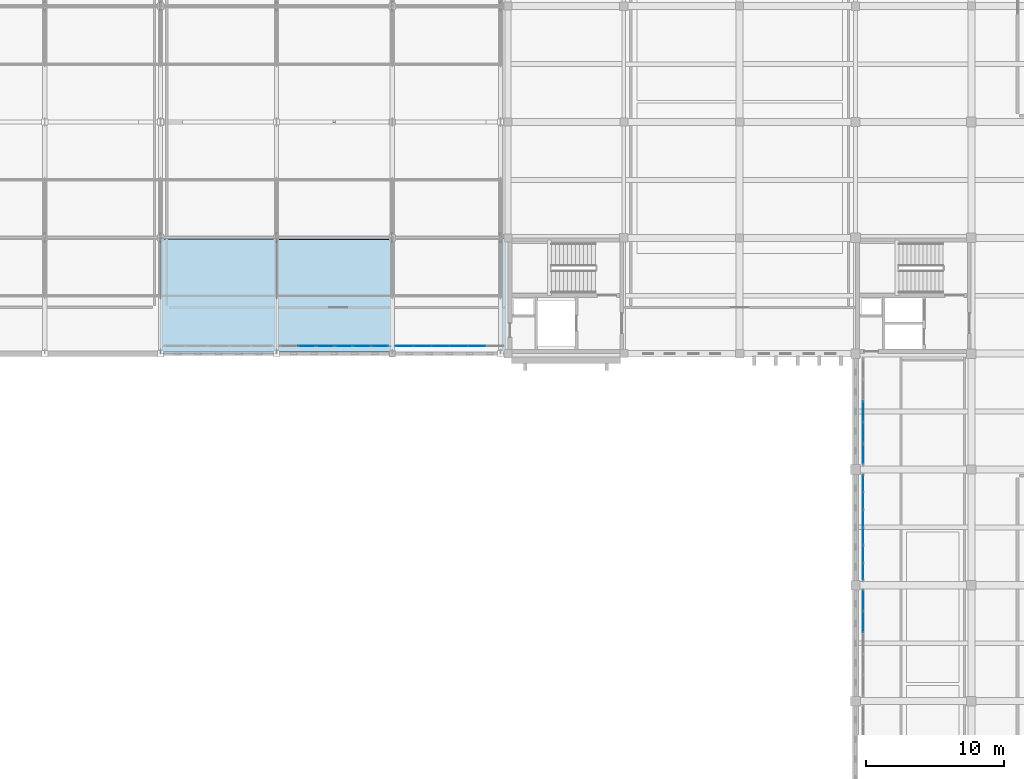
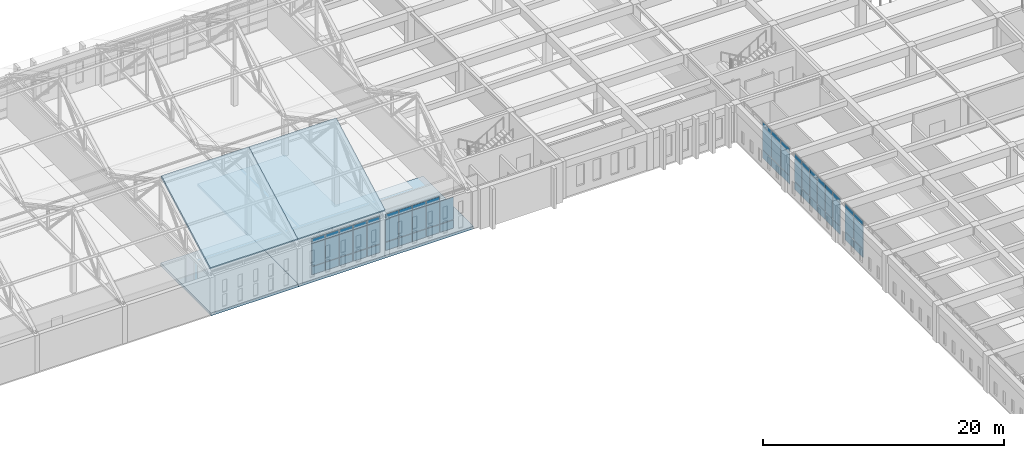
# One storey, part 59 of 110: 62 plates, 4 slabs, 5 elements without a shape of their own.
"""IFC4 building model written with IfcOpenShell, lengths in metres."""

from ifc_helpers import new_model, si_unit, direction, frame, origin, origin_2d, place, context, subcontext, project, spatial, polyline, rectangle, outline, extrude, material, layer, layer_set, type_object, element, aggregate, save


model = new_model("IFC4")

# Units and contexts
model_context = context("Model", 3, precision=1e-05, world=origin(), true_north=direction((0.0, 1.0)))
body_context = subcontext(model_context, "Body", "Model", "MODEL_VIEW")
ifc_project = project(units=[si_unit("LENGTHUNIT", "METRE"), si_unit("AREAUNIT", "SQUARE_METRE"), si_unit("VOLUMEUNIT", "CUBIC_METRE"), si_unit("PLANEANGLEUNIT", "RADIAN"), si_unit("MASSUNIT", "GRAM", prefix="KILO")], contexts=[model_context])

# Site, building, storey
site_placement = place(None, origin())
site = spatial("IfcSite", under=ifc_project, at=site_placement, CompositionType="ELEMENT")
building_placement = place(site_placement, origin())
building = spatial("IfcBuilding", under=site, at=building_placement, Name="Kveldsbrygga Polytechnic", CompositionType="ELEMENT")
storey_placement = place(building_placement, frame((0.0, 0.0, 9.860107421875)))
storey = spatial("IfcBuildingStorey", under=building, at=storey_placement, Name="L02", CompositionType="ELEMENT", Elevation=9.860107421875)

# Curtain wall, plates
ifc_material_1 = material(Name="Anodised aluminium AW-6060", Category="aluminium")
ifc_layer_1 = layer(ifc_material_1, 0.179931640625)
ifc_layer_set_1 = layer_set([ifc_layer_1], Name="Anodised aluminium AW-6060")
curtain_wall_type_1 = type_object("IfcCurtainWallType", Name="CW-CONC-A", PredefinedType="USERDEFINED", material=ifc_layer_set_1)
curtain_wall_1_placement = place(storey_placement, origin())
curtain_wall_1 = element("IfcCurtainWall", 1, at=curtain_wall_1_placement, inside=storey, type_object=curtain_wall_type_1, Name="Curtain Wall CW-L02-X-11-10", ObjectType="UNITISED CURTAIN WALL", PredefinedType="USERDEFINED")
ifc_material_2 = material(Name="Insulated triple low-E glass", Category="glass")
ifc_layer_2 = layer(ifc_material_2, 0.035888671875)
ifc_layer_set_2 = layer_set([ifc_layer_2], Name="Insulated triple low-E glass")
plate_type_1 = type_object("IfcPlateType", Name="CW-PAN-VIS36", PredefinedType="CURTAIN_PANEL", material=ifc_layer_set_2)
plate_1_placement = place(storey_placement, frame((93.27001953125, 84.550048828125, 0.059814453125), z_axis=(0.0, 0.0, 1.0), x_axis=(1.0, 0.0, 0.0)))
plate_1 = element("IfcPlate", 2, at=plate_1_placement, type_object=plate_type_1, Name="CW-01 panel 1.1", PredefinedType="CURTAIN_PANEL", context=body_context, shape_type="SweptSolid", body=[
    extrude(rectangle(XDim=1.22998046875, YDim=0.035888671875, at=origin_2d()), origin(), (0.0, 0.0, 1.0), 0.81005859375),
])
plate_2_placement = place(storey_placement, frame((93.27001953125, 84.550048828125, 0.929931640625), z_axis=(0.0, 0.0, 1.0), x_axis=(1.0, 0.0, 0.0)))
plate_2 = element("IfcPlate", 3, at=plate_2_placement, type_object=plate_type_1, Name="CW-01 panel 1.2", PredefinedType="CURTAIN_PANEL", context=body_context, shape_type="SweptSolid", body=[
    extrude(rectangle(XDim=1.22998046875, YDim=0.035888671875, at=origin_2d()), origin(), (0.0, 0.0, 1.0), 2.27001953125),
])
plate_3_placement = place(storey_placement, frame((93.27001953125, 84.550048828125, 3.260009765625), z_axis=(0.0, 0.0, 1.0), x_axis=(1.0, 0.0, 0.0)))
plate_3 = element("IfcPlate", 4, at=plate_3_placement, type_object=plate_type_1, Name="CW-01 panel 1.3", PredefinedType="CURTAIN_PANEL", context=body_context, shape_type="SweptSolid", body=[
    extrude(rectangle(XDim=1.22998046875, YDim=0.035888671875, at=origin_2d()), origin(), (0.0, 0.0, 1.0), 0.4599609375),
])
plate_4_placement = place(storey_placement, frame((94.574951171875, 84.550048828125, 0.059814453125), z_axis=(0.0, 0.0, 1.0), x_axis=(1.0, 0.0, 0.0)))
plate_4 = element("IfcPlate", 5, at=plate_4_placement, type_object=plate_type_1, Name="CW-01 panel 2.1", PredefinedType="CURTAIN_PANEL", context=body_context, shape_type="SweptSolid", body=[
    extrude(rectangle(XDim=1.260009765625, YDim=0.035888671875, at=origin_2d()), origin(), (0.0, 0.0, 1.0), 0.81005859375),
])
plate_5_placement = place(storey_placement, frame((94.574951171875, 84.550048828125, 0.929931640625), z_axis=(0.0, 0.0, 1.0), x_axis=(1.0, 0.0, 0.0)))
plate_5 = element("IfcPlate", 6, at=plate_5_placement, type_object=plate_type_1, Name="CW-01 panel 2.2", PredefinedType="CURTAIN_PANEL", context=body_context, shape_type="SweptSolid", body=[
    extrude(rectangle(XDim=1.260009765625, YDim=0.035888671875, at=origin_2d()), origin(), (0.0, 0.0, 1.0), 2.27001953125),
])
plate_6_placement = place(storey_placement, frame((94.574951171875, 84.550048828125, 3.260009765625), z_axis=(0.0, 0.0, 1.0), x_axis=(1.0, 0.0, 0.0)))
plate_6 = element("IfcPlate", 7, at=plate_6_placement, type_object=plate_type_1, Name="CW-01 panel 2.3", PredefinedType="CURTAIN_PANEL", context=body_context, shape_type="SweptSolid", body=[
    extrude(rectangle(XDim=1.260009765625, YDim=0.035888671875, at=origin_2d()), origin(), (0.0, 0.0, 1.0), 0.4599609375),
])
plate_7_placement = place(storey_placement, frame((95.89501953125, 84.550048828125, 0.059814453125), z_axis=(0.0, 0.0, 1.0), x_axis=(1.0, 0.0, 0.0)))
plate_7 = element("IfcPlate", 8, at=plate_7_placement, type_object=plate_type_1, Name="CW-01 panel 3.1", PredefinedType="CURTAIN_PANEL", context=body_context, shape_type="SweptSolid", body=[
    extrude(rectangle(XDim=1.260009765625, YDim=0.035888671875, at=origin_2d()), origin(), (0.0, 0.0, 1.0), 0.81005859375),
])
plate_8_placement = place(storey_placement, frame((95.89501953125, 84.550048828125, 0.929931640625), z_axis=(0.0, 0.0, 1.0), x_axis=(1.0, 0.0, 0.0)))
plate_8 = element("IfcPlate", 9, at=plate_8_placement, type_object=plate_type_1, Name="CW-01 panel 3.2", PredefinedType="CURTAIN_PANEL", context=body_context, shape_type="SweptSolid", body=[
    extrude(rectangle(XDim=1.260009765625, YDim=0.035888671875, at=origin_2d()), origin(), (0.0, 0.0, 1.0), 2.27001953125),
])
plate_9_placement = place(storey_placement, frame((95.89501953125, 84.550048828125, 3.260009765625), z_axis=(0.0, 0.0, 1.0), x_axis=(1.0, 0.0, 0.0)))
plate_9 = element("IfcPlate", 10, at=plate_9_placement, type_object=plate_type_1, Name="CW-01 panel 3.3", PredefinedType="CURTAIN_PANEL", context=body_context, shape_type="SweptSolid", body=[
    extrude(rectangle(XDim=1.260009765625, YDim=0.035888671875, at=origin_2d()), origin(), (0.0, 0.0, 1.0), 0.4599609375),
])
plate_10_placement = place(storey_placement, frame((97.215087890625, 84.550048828125, 0.059814453125), z_axis=(0.0, 0.0, 1.0), x_axis=(1.0, 0.0, 0.0)))
plate_10 = element("IfcPlate", 11, at=plate_10_placement, type_object=plate_type_1, Name="CW-01 panel 4.1", PredefinedType="CURTAIN_PANEL", context=body_context, shape_type="SweptSolid", body=[
    extrude(rectangle(XDim=1.260009765625, YDim=0.035888671875, at=origin_2d()), origin(), (0.0, 0.0, 1.0), 0.81005859375),
])
plate_11_placement = place(storey_placement, frame((97.215087890625, 84.550048828125, 0.929931640625), z_axis=(0.0, 0.0, 1.0), x_axis=(1.0, 0.0, 0.0)))
plate_11 = element("IfcPlate", 12, at=plate_11_placement, type_object=plate_type_1, Name="CW-01 panel 4.2", PredefinedType="CURTAIN_PANEL", context=body_context, shape_type="SweptSolid", body=[
    extrude(rectangle(XDim=1.260009765625, YDim=0.035888671875, at=origin_2d()), origin(), (0.0, 0.0, 1.0), 2.27001953125),
])
plate_12_placement = place(storey_placement, frame((97.215087890625, 84.550048828125, 3.260009765625), z_axis=(0.0, 0.0, 1.0), x_axis=(1.0, 0.0, 0.0)))
plate_12 = element("IfcPlate", 13, at=plate_12_placement, type_object=plate_type_1, Name="CW-01 panel 4.3", PredefinedType="CURTAIN_PANEL", context=body_context, shape_type="SweptSolid", body=[
    extrude(rectangle(XDim=1.260009765625, YDim=0.035888671875, at=origin_2d()), origin(), (0.0, 0.0, 1.0), 0.4599609375),
])
plate_13_placement = place(storey_placement, frame((98.534912109375, 84.550048828125, 0.059814453125), z_axis=(0.0, 0.0, 1.0), x_axis=(1.0, 0.0, 0.0)))
plate_13 = element("IfcPlate", 14, at=plate_13_placement, type_object=plate_type_1, Name="CW-01 panel 5.1", PredefinedType="CURTAIN_PANEL", context=body_context, shape_type="SweptSolid", body=[
    extrude(rectangle(XDim=1.260009765625, YDim=0.035888671875, at=origin_2d()), origin(), (0.0, 0.0, 1.0), 0.81005859375),
])
plate_14_placement = place(storey_placement, frame((98.534912109375, 84.550048828125, 0.929931640625), z_axis=(0.0, 0.0, 1.0), x_axis=(1.0, 0.0, 0.0)))
plate_14 = element("IfcPlate", 15, at=plate_14_placement, type_object=plate_type_1, Name="CW-01 panel 5.2", PredefinedType="CURTAIN_PANEL", context=body_context, shape_type="SweptSolid", body=[
    extrude(rectangle(XDim=1.260009765625, YDim=0.035888671875, at=origin_2d()), origin(), (0.0, 0.0, 1.0), 2.27001953125),
])
aggregate(curtain_wall_1, [plate_1, plate_2, plate_3, plate_4, plate_5, plate_6, plate_7, plate_8, plate_9, plate_10, plate_11, plate_12, plate_13, plate_14])

ifc_layer_3 = layer(ifc_material_1, 0.179931640625)
ifc_layer_set_3 = layer_set([ifc_layer_3], Name="Anodised aluminium AW-6060")
curtain_wall_type_2 = type_object("IfcCurtainWallType", Name="CW-LANC-D", PredefinedType="USERDEFINED", material=ifc_layer_set_3)
curtain_wall_2_placement = place(storey_placement, origin())
curtain_wall_2 = element("IfcCurtainWall", 16, at=curtain_wall_2_placement, inside=storey, type_object=curtain_wall_type_2, Name="Curtain Wall CW-L02-Y-15-09", ObjectType="UNITISED CURTAIN WALL", PredefinedType="USERDEFINED")
plate_15_placement = place(storey_placement, frame((126.550048828125, 76.727783203125, 0.059814453125), z_axis=(0.0, 0.0, 1.0), x_axis=(0.0, 1.0, 0.0)))
plate_15 = element("IfcPlate", 17, at=plate_15_placement, type_object=plate_type_1, Name="CW-04 panel 1.1", PredefinedType="CURTAIN_PANEL", context=body_context, shape_type="SweptSolid", body=[
    extrude(rectangle(XDim=1.435546875, YDim=0.035888671875, at=origin_2d()), origin(), (0.0, 0.0, 1.0), 0.81005859375),
])
plate_16_placement = place(storey_placement, frame((126.550048828125, 76.727783203125, 0.929931640625), z_axis=(0.0, 0.0, 1.0), x_axis=(0.0, 1.0, 0.0)))
plate_16 = element("IfcPlate", 18, at=plate_16_placement, type_object=plate_type_1, Name="CW-04 panel 1.2", PredefinedType="CURTAIN_PANEL", context=body_context, shape_type="SweptSolid", body=[
    extrude(rectangle(XDim=1.435546875, YDim=0.035888671875, at=origin_2d()), origin(), (0.0, 0.0, 1.0), 2.27001953125),
])
plate_17_placement = place(storey_placement, frame((126.550048828125, 76.727783203125, 3.260009765625), z_axis=(0.0, 0.0, 1.0), x_axis=(0.0, 1.0, 0.0)))
plate_17 = element("IfcPlate", 19, at=plate_17_placement, type_object=plate_type_1, Name="CW-04 panel 1.3", PredefinedType="CURTAIN_PANEL", context=body_context, shape_type="SweptSolid", body=[
    extrude(rectangle(XDim=1.435546875, YDim=0.035888671875, at=origin_2d()), origin(), (0.0, 0.0, 1.0), 0.4599609375),
])
plate_18_placement = place(storey_placement, frame((126.550048828125, 78.257080078125, 0.059814453125), z_axis=(0.0, 0.0, 1.0), x_axis=(0.0, 1.0, 0.0)))
plate_18 = element("IfcPlate", 20, at=plate_18_placement, type_object=plate_type_1, Name="CW-04 panel 2.1", PredefinedType="CURTAIN_PANEL", context=body_context, shape_type="SweptSolid", body=[
    extrude(rectangle(XDim=1.472900390625, YDim=0.035888671875, at=origin_2d()), origin(), (0.0, 0.0, 1.0), 0.81005859375),
])
plate_19_placement = place(storey_placement, frame((126.550048828125, 78.257080078125, 0.929931640625), z_axis=(0.0, 0.0, 1.0), x_axis=(0.0, 1.0, 0.0)))
plate_19 = element("IfcPlate", 21, at=plate_19_placement, type_object=plate_type_1, Name="CW-04 panel 2.2", PredefinedType="CURTAIN_PANEL", context=body_context, shape_type="SweptSolid", body=[
    extrude(rectangle(XDim=1.472900390625, YDim=0.035888671875, at=origin_2d()), origin(), (0.0, 0.0, 1.0), 2.27001953125),
])
plate_20_placement = place(storey_placement, frame((126.550048828125, 78.257080078125, 3.260009765625), z_axis=(0.0, 0.0, 1.0), x_axis=(0.0, 1.0, 0.0)))
plate_20 = element("IfcPlate", 22, at=plate_20_placement, type_object=plate_type_1, Name="CW-04 panel 2.3", PredefinedType="CURTAIN_PANEL", context=body_context, shape_type="SweptSolid", body=[
    extrude(rectangle(XDim=1.472900390625, YDim=0.035888671875, at=origin_2d()), origin(), (0.0, 0.0, 1.0), 0.4599609375),
])
plate_21_placement = place(storey_placement, frame((126.550048828125, 79.804931640625, 0.059814453125), z_axis=(0.0, 0.0, 1.0), x_axis=(0.0, 1.0, 0.0)))
plate_21 = element("IfcPlate", 23, at=plate_21_placement, type_object=plate_type_1, Name="CW-04 panel 3.1", PredefinedType="CURTAIN_PANEL", context=body_context, shape_type="SweptSolid", body=[
    extrude(rectangle(XDim=1.472900390625, YDim=0.035888671875, at=origin_2d()), origin(), (0.0, 0.0, 1.0), 0.81005859375),
])
plate_22_placement = place(storey_placement, frame((126.550048828125, 79.804931640625, 0.929931640625), z_axis=(0.0, 0.0, 1.0), x_axis=(0.0, 1.0, 0.0)))
plate_22 = element("IfcPlate", 24, at=plate_22_placement, type_object=plate_type_1, Name="CW-04 panel 3.2", PredefinedType="CURTAIN_PANEL", context=body_context, shape_type="SweptSolid", body=[
    extrude(rectangle(XDim=1.472900390625, YDim=0.035888671875, at=origin_2d()), origin(), (0.0, 0.0, 1.0), 2.27001953125),
])
plate_23_placement = place(storey_placement, frame((126.550048828125, 79.804931640625, 3.260009765625), z_axis=(0.0, 0.0, 1.0), x_axis=(0.0, 1.0, 0.0)))
plate_23 = element("IfcPlate", 25, at=plate_23_placement, type_object=plate_type_1, Name="CW-04 panel 3.3", PredefinedType="CURTAIN_PANEL", context=body_context, shape_type="SweptSolid", body=[
    extrude(rectangle(XDim=1.472900390625, YDim=0.035888671875, at=origin_2d()), origin(), (0.0, 0.0, 1.0), 0.4599609375),
])
aggregate(curtain_wall_2, [plate_15, plate_16, plate_17, plate_18, plate_19, plate_20, plate_21, plate_22, plate_23])

ifc_layer_4 = layer(ifc_material_1, 0.2099609375)
ifc_layer_set_4 = layer_set([ifc_layer_4], Name="Anodised aluminium AW-6060")
curtain_wall_type_3 = type_object("IfcCurtainWallType", Name="CW-LIBR-H", PredefinedType="USERDEFINED", material=ifc_layer_set_4)
curtain_wall_3_placement = place(storey_placement, origin())
curtain_wall_3 = element("IfcCurtainWall", 26, at=curtain_wall_3_placement, inside=storey, type_object=curtain_wall_type_3, Name="Curtain Wall CW-L02-X-10-10", ObjectType="UNITISED CURTAIN WALL", PredefinedType="USERDEFINED")
ifc_layer_5 = layer(ifc_material_2, 0.0419921875)
ifc_layer_set_5 = layer_set([ifc_layer_5], Name="Insulated triple low-E glass")
plate_type_2 = type_object("IfcPlateType", Name="CW-PAN-VIS42", PredefinedType="CURTAIN_PANEL", material=ifc_layer_set_5)
plate_24_placement = place(storey_placement, frame((86.208740234375, 84.550048828125, 0.059814453125), z_axis=(0.0, 0.0, 1.0), x_axis=(1.0, 0.0, 0.0)))
plate_24 = element("IfcPlate", 27, at=plate_24_placement, type_object=plate_type_2, Name="CW-08 panel 2.1", PredefinedType="CURTAIN_PANEL", context=body_context, shape_type="SweptSolid", body=[
    extrude(rectangle(XDim=1.257568359375, YDim=0.0419921875, at=origin_2d()), origin(), (0.0, 0.0, 1.0), 0.81005859375),
])
plate_25_placement = place(storey_placement, frame((86.208740234375, 84.550048828125, 0.929931640625), z_axis=(0.0, 0.0, 1.0), x_axis=(1.0, 0.0, 0.0)))
plate_25 = element("IfcPlate", 28, at=plate_25_placement, type_object=plate_type_2, Name="CW-08 panel 2.2", PredefinedType="CURTAIN_PANEL", context=body_context, shape_type="SweptSolid", body=[
    extrude(rectangle(XDim=1.257568359375, YDim=0.0419921875, at=origin_2d()), origin(), (0.0, 0.0, 1.0), 2.27001953125),
])
plate_26_placement = place(storey_placement, frame((86.208740234375, 84.550048828125, 3.260009765625), z_axis=(0.0, 0.0, 1.0), x_axis=(1.0, 0.0, 0.0)))
plate_26 = element("IfcPlate", 29, at=plate_26_placement, type_object=plate_type_2, Name="CW-08 panel 2.3", PredefinedType="CURTAIN_PANEL", context=body_context, shape_type="SweptSolid", body=[
    extrude(rectangle(XDim=1.257568359375, YDim=0.0419921875, at=origin_2d()), origin(), (0.0, 0.0, 1.0), 0.4599609375),
])
plate_27_placement = place(storey_placement, frame((87.541259765625, 84.550048828125, 0.059814453125), z_axis=(0.0, 0.0, 1.0), x_axis=(1.0, 0.0, 0.0)))
plate_27 = element("IfcPlate", 30, at=plate_27_placement, type_object=plate_type_2, Name="CW-08 panel 3.1", PredefinedType="CURTAIN_PANEL", context=body_context, shape_type="SweptSolid", body=[
    extrude(rectangle(XDim=1.257568359375, YDim=0.0419921875, at=origin_2d()), origin(), (0.0, 0.0, 1.0), 0.81005859375),
])
plate_28_placement = place(storey_placement, frame((87.541259765625, 84.550048828125, 0.929931640625), z_axis=(0.0, 0.0, 1.0), x_axis=(1.0, 0.0, 0.0)))
plate_28 = element("IfcPlate", 31, at=plate_28_placement, type_object=plate_type_2, Name="CW-08 panel 3.2", PredefinedType="CURTAIN_PANEL", context=body_context, shape_type="SweptSolid", body=[
    extrude(rectangle(XDim=1.257568359375, YDim=0.0419921875, at=origin_2d()), origin(), (0.0, 0.0, 1.0), 2.27001953125),
])
plate_29_placement = place(storey_placement, frame((87.541259765625, 84.550048828125, 3.260009765625), z_axis=(0.0, 0.0, 1.0), x_axis=(1.0, 0.0, 0.0)))
plate_29 = element("IfcPlate", 32, at=plate_29_placement, type_object=plate_type_2, Name="CW-08 panel 3.3", PredefinedType="CURTAIN_PANEL", context=body_context, shape_type="SweptSolid", body=[
    extrude(rectangle(XDim=1.257568359375, YDim=0.0419921875, at=origin_2d()), origin(), (0.0, 0.0, 1.0), 0.4599609375),
])
plate_30_placement = place(storey_placement, frame((88.873779296875, 84.550048828125, 0.059814453125), z_axis=(0.0, 0.0, 1.0), x_axis=(1.0, 0.0, 0.0)))
plate_30 = element("IfcPlate", 33, at=plate_30_placement, type_object=plate_type_2, Name="CW-08 panel 4.1", PredefinedType="CURTAIN_PANEL", context=body_context, shape_type="SweptSolid", body=[
    extrude(rectangle(XDim=1.257568359375, YDim=0.0419921875, at=origin_2d()), origin(), (0.0, 0.0, 1.0), 0.81005859375),
])
plate_31_placement = place(storey_placement, frame((88.873779296875, 84.550048828125, 0.929931640625), z_axis=(0.0, 0.0, 1.0), x_axis=(1.0, 0.0, 0.0)))
plate_31 = element("IfcPlate", 34, at=plate_31_placement, type_object=plate_type_2, Name="CW-08 panel 4.2", PredefinedType="CURTAIN_PANEL", context=body_context, shape_type="SweptSolid", body=[
    extrude(rectangle(XDim=1.257568359375, YDim=0.0419921875, at=origin_2d()), origin(), (0.0, 0.0, 1.0), 2.27001953125),
])
plate_32_placement = place(storey_placement, frame((88.873779296875, 84.550048828125, 3.260009765625), z_axis=(0.0, 0.0, 1.0), x_axis=(1.0, 0.0, 0.0)))
plate_32 = element("IfcPlate", 35, at=plate_32_placement, type_object=plate_type_2, Name="CW-08 panel 4.3", PredefinedType="CURTAIN_PANEL", context=body_context, shape_type="SweptSolid", body=[
    extrude(rectangle(XDim=1.257568359375, YDim=0.0419921875, at=origin_2d()), origin(), (0.0, 0.0, 1.0), 0.4599609375),
])
plate_33_placement = place(storey_placement, frame((90.206298828125, 84.550048828125, 0.059814453125), z_axis=(0.0, 0.0, 1.0), x_axis=(1.0, 0.0, 0.0)))
plate_33 = element("IfcPlate", 36, at=plate_33_placement, type_object=plate_type_2, Name="CW-08 panel 5.1", PredefinedType="CURTAIN_PANEL", context=body_context, shape_type="SweptSolid", body=[
    extrude(rectangle(XDim=1.257568359375, YDim=0.0419921875, at=origin_2d()), origin(), (0.0, 0.0, 1.0), 0.81005859375),
])
plate_34_placement = place(storey_placement, frame((90.206298828125, 84.550048828125, 0.929931640625), z_axis=(0.0, 0.0, 1.0), x_axis=(1.0, 0.0, 0.0)))
plate_34 = element("IfcPlate", 37, at=plate_34_placement, type_object=plate_type_2, Name="CW-08 panel 5.2", PredefinedType="CURTAIN_PANEL", context=body_context, shape_type="SweptSolid", body=[
    extrude(rectangle(XDim=1.257568359375, YDim=0.0419921875, at=origin_2d()), origin(), (0.0, 0.0, 1.0), 2.27001953125),
])
plate_35_placement = place(storey_placement, frame((90.206298828125, 84.550048828125, 3.260009765625), z_axis=(0.0, 0.0, 1.0), x_axis=(1.0, 0.0, 0.0)))
plate_35 = element("IfcPlate", 38, at=plate_35_placement, type_object=plate_type_2, Name="CW-08 panel 5.3", PredefinedType="CURTAIN_PANEL", context=body_context, shape_type="SweptSolid", body=[
    extrude(rectangle(XDim=1.257568359375, YDim=0.0419921875, at=origin_2d()), origin(), (0.0, 0.0, 1.0), 0.4599609375),
])
plate_36_placement = place(storey_placement, frame((91.52001953125, 84.550048828125, 0.059814453125), z_axis=(0.0, 0.0, 1.0), x_axis=(1.0, 0.0, 0.0)))
plate_36 = element("IfcPlate", 39, at=plate_36_placement, type_object=plate_type_2, Name="CW-08 panel 6.1", PredefinedType="CURTAIN_PANEL", context=body_context, shape_type="SweptSolid", body=[
    extrude(rectangle(XDim=1.219970703125, YDim=0.0419921875, at=origin_2d()), origin(), (0.0, 0.0, 1.0), 0.81005859375),
])
plate_37_placement = place(storey_placement, frame((91.52001953125, 84.550048828125, 0.929931640625), z_axis=(0.0, 0.0, 1.0), x_axis=(1.0, 0.0, 0.0)))
plate_37 = element("IfcPlate", 40, at=plate_37_placement, type_object=plate_type_2, Name="CW-08 panel 6.2", PredefinedType="CURTAIN_PANEL", context=body_context, shape_type="SweptSolid", body=[
    extrude(rectangle(XDim=1.219970703125, YDim=0.0419921875, at=origin_2d()), origin(), (0.0, 0.0, 1.0), 2.27001953125),
])
plate_38_placement = place(storey_placement, frame((91.52001953125, 84.550048828125, 3.260009765625), z_axis=(0.0, 0.0, 1.0), x_axis=(1.0, 0.0, 0.0)))
plate_38 = element("IfcPlate", 41, at=plate_38_placement, type_object=plate_type_2, Name="CW-08 panel 6.3", PredefinedType="CURTAIN_PANEL", context=body_context, shape_type="SweptSolid", body=[
    extrude(rectangle(XDim=1.219970703125, YDim=0.0419921875, at=origin_2d()), origin(), (0.0, 0.0, 1.0), 0.4599609375),
])
aggregate(curtain_wall_3, [plate_24, plate_25, plate_26, plate_27, plate_28, plate_29, plate_30, plate_31, plate_32, plate_33, plate_34, plate_35, plate_36, plate_37, plate_38])

ifc_layer_6 = layer(ifc_material_1, 0.199951171875)
ifc_layer_set_6 = layer_set([ifc_layer_6], Name="Anodised aluminium AW-6060")
curtain_wall_type_4 = type_object("IfcCurtainWallType", Name="CW-CONC-B", PredefinedType="USERDEFINED", material=ifc_layer_set_6)
curtain_wall_4_placement = place(storey_placement, origin())
curtain_wall_4 = element("IfcCurtainWall", 42, at=curtain_wall_4_placement, inside=storey, type_object=curtain_wall_type_4, Name="Curtain Wall CW-L02-Y-15-07", ObjectType="UNITISED CURTAIN WALL", PredefinedType="USERDEFINED")
plate_39_placement = place(storey_placement, frame((126.550048828125, 64.552978515625, 0.059814453125), z_axis=(0.0, 0.0, 1.0), x_axis=(0.0, 1.0, 0.0)))
plate_39 = element("IfcPlate", 43, at=plate_39_placement, type_object=plate_type_2, Name="CW-02 panel 4.1", PredefinedType="CURTAIN_PANEL", context=body_context, shape_type="SweptSolid", body=[
    extrude(rectangle(XDim=1.488037109375, YDim=0.0419921875, at=origin_2d()), origin(), (0.0, 0.0, 1.0), 0.81005859375),
])
plate_40_placement = place(storey_placement, frame((126.550048828125, 64.552978515625, 0.929931640625), z_axis=(0.0, 0.0, 1.0), x_axis=(0.0, 1.0, 0.0)))
plate_40 = element("IfcPlate", 44, at=plate_40_placement, type_object=plate_type_2, Name="CW-02 panel 4.2", PredefinedType="CURTAIN_PANEL", context=body_context, shape_type="SweptSolid", body=[
    extrude(rectangle(XDim=1.488037109375, YDim=0.0419921875, at=origin_2d()), origin(), (0.0, 0.0, 1.0), 2.27001953125),
])
plate_41_placement = place(storey_placement, frame((126.550048828125, 64.552978515625, 3.260009765625), z_axis=(0.0, 0.0, 1.0), x_axis=(0.0, 1.0, 0.0)))
plate_41 = element("IfcPlate", 45, at=plate_41_placement, type_object=plate_type_2, Name="CW-02 panel 4.3", PredefinedType="CURTAIN_PANEL", context=body_context, shape_type="SweptSolid", body=[
    extrude(rectangle(XDim=1.488037109375, YDim=0.0419921875, at=origin_2d()), origin(), (0.0, 0.0, 1.0), 0.4599609375),
])
plate_42_placement = place(storey_placement, frame((126.550048828125, 66.0859375, 0.059814453125), z_axis=(0.0, 0.0, 1.0), x_axis=(0.0, 1.0, 0.0)))
plate_42 = element("IfcPlate", 46, at=plate_42_placement, type_object=plate_type_2, Name="CW-02 panel 5.1", PredefinedType="CURTAIN_PANEL", context=body_context, shape_type="SweptSolid", body=[
    extrude(rectangle(XDim=1.4580078125, YDim=0.0419921875, at=origin_2d()), origin(), (0.0, 0.0, 1.0), 0.81005859375),
])
plate_43_placement = place(storey_placement, frame((126.550048828125, 66.0859375, 0.929931640625), z_axis=(0.0, 0.0, 1.0), x_axis=(0.0, 1.0, 0.0)))
plate_43 = element("IfcPlate", 47, at=plate_43_placement, type_object=plate_type_2, Name="CW-02 panel 5.2", PredefinedType="CURTAIN_PANEL", context=body_context, shape_type="SweptSolid", body=[
    extrude(rectangle(XDim=1.4580078125, YDim=0.0419921875, at=origin_2d()), origin(), (0.0, 0.0, 1.0), 2.27001953125),
])
plate_44_placement = place(storey_placement, frame((126.550048828125, 66.0859375, 3.260009765625), z_axis=(0.0, 0.0, 1.0), x_axis=(0.0, 1.0, 0.0)))
plate_44 = element("IfcPlate", 48, at=plate_44_placement, type_object=plate_type_2, Name="CW-02 panel 5.3", PredefinedType="CURTAIN_PANEL", context=body_context, shape_type="SweptSolid", body=[
    extrude(rectangle(XDim=1.4580078125, YDim=0.0419921875, at=origin_2d()), origin(), (0.0, 0.0, 1.0), 0.4599609375),
])
aggregate(curtain_wall_4, [plate_39, plate_40, plate_41, plate_42, plate_43, plate_44])

ifc_layer_7 = layer(ifc_material_1, 0.159912109375)
ifc_layer_set_7 = layer_set([ifc_layer_7], Name="Anodised aluminium AW-6060")
curtain_wall_type_5 = type_object("IfcCurtainWallType", Name="CW-CLER-C", PredefinedType="USERDEFINED", material=ifc_layer_set_7)
curtain_wall_5_placement = place(storey_placement, origin())
curtain_wall_5 = element("IfcCurtainWall", 49, at=curtain_wall_5_placement, inside=storey, type_object=curtain_wall_type_5, Name="Curtain Wall CW-L02-Y-15-08", ObjectType="STICK CURTAIN WALL", PredefinedType="USERDEFINED")
ifc_layer_8 = layer(ifc_material_2, 0.048095703125)
ifc_layer_set_8 = layer_set([ifc_layer_8], Name="Insulated triple low-E glass")
plate_type_3 = type_object("IfcPlateType", Name="CW-PAN-VIS48", PredefinedType="CURTAIN_PANEL", material=ifc_layer_set_8)
plate_45_placement = place(storey_placement, frame((126.550048828125, 68.188720703125, 0.074951171875), z_axis=(0.0, 0.0, 1.0), x_axis=(0.0, 1.0, 0.0)))
plate_45 = element("IfcPlate", 50, at=plate_45_placement, type_object=plate_type_3, Name="CW-03 panel 1.1", PredefinedType="CURTAIN_PANEL", context=body_context, shape_type="SweptSolid", body=[
    extrude(rectangle(XDim=1.177490234375, YDim=0.048095703125, at=origin_2d()), origin(), (0.0, 0.0, 1.0), 0.78759765625),
])
plate_46_placement = place(storey_placement, frame((126.550048828125, 68.188720703125, 0.9375), z_axis=(0.0, 0.0, 1.0), x_axis=(0.0, 1.0, 0.0)))
plate_46 = element("IfcPlate", 51, at=plate_46_placement, type_object=plate_type_3, Name="CW-03 panel 1.2", PredefinedType="CURTAIN_PANEL", context=body_context, shape_type="SweptSolid", body=[
    extrude(rectangle(XDim=1.177490234375, YDim=0.048095703125, at=origin_2d()), origin(), (0.0, 0.0, 1.0), 2.2548828125),
])
plate_47_placement = place(storey_placement, frame((126.550048828125, 68.188720703125, 3.267333984375), z_axis=(0.0, 0.0, 1.0), x_axis=(0.0, 1.0, 0.0)))
plate_47 = element("IfcPlate", 52, at=plate_47_placement, type_object=plate_type_3, Name="CW-03 panel 1.3", PredefinedType="CURTAIN_PANEL", context=body_context, shape_type="SweptSolid", body=[
    extrude(rectangle(XDim=1.177490234375, YDim=0.048095703125, at=origin_2d()), origin(), (0.0, 0.0, 1.0), 0.4375),
])
plate_48_placement = place(storey_placement, frame((126.550048828125, 69.4599609375, 0.074951171875), z_axis=(0.0, 0.0, 1.0), x_axis=(0.0, 1.0, 0.0)))
plate_48 = element("IfcPlate", 53, at=plate_48_placement, type_object=plate_type_3, Name="CW-03 panel 2.1", PredefinedType="CURTAIN_PANEL", context=body_context, shape_type="SweptSolid", body=[
    extrude(rectangle(XDim=1.215087890625, YDim=0.048095703125, at=origin_2d()), origin(), (0.0, 0.0, 1.0), 0.78759765625),
])
plate_49_placement = place(storey_placement, frame((126.550048828125, 69.4599609375, 0.9375), z_axis=(0.0, 0.0, 1.0), x_axis=(0.0, 1.0, 0.0)))
plate_49 = element("IfcPlate", 54, at=plate_49_placement, type_object=plate_type_3, Name="CW-03 panel 2.2", PredefinedType="CURTAIN_PANEL", context=body_context, shape_type="SweptSolid", body=[
    extrude(rectangle(XDim=1.215087890625, YDim=0.048095703125, at=origin_2d()), origin(), (0.0, 0.0, 1.0), 2.2548828125),
])
plate_50_placement = place(storey_placement, frame((126.550048828125, 69.4599609375, 3.267333984375), z_axis=(0.0, 0.0, 1.0), x_axis=(0.0, 1.0, 0.0)))
plate_50 = element("IfcPlate", 55, at=plate_50_placement, type_object=plate_type_3, Name="CW-03 panel 2.3", PredefinedType="CURTAIN_PANEL", context=body_context, shape_type="SweptSolid", body=[
    extrude(rectangle(XDim=1.215087890625, YDim=0.048095703125, at=origin_2d()), origin(), (0.0, 0.0, 1.0), 0.4375),
])
plate_51_placement = place(storey_placement, frame((126.550048828125, 70.75, 0.074951171875), z_axis=(0.0, 0.0, 1.0), x_axis=(0.0, 1.0, 0.0)))
plate_51 = element("IfcPlate", 56, at=plate_51_placement, type_object=plate_type_3, Name="CW-03 panel 3.1", PredefinedType="CURTAIN_PANEL", context=body_context, shape_type="SweptSolid", body=[
    extrude(rectangle(XDim=1.215087890625, YDim=0.048095703125, at=origin_2d()), origin(), (0.0, 0.0, 1.0), 0.78759765625),
])
plate_52_placement = place(storey_placement, frame((126.550048828125, 70.75, 0.9375), z_axis=(0.0, 0.0, 1.0), x_axis=(0.0, 1.0, 0.0)))
plate_52 = element("IfcPlate", 57, at=plate_52_placement, type_object=plate_type_3, Name="CW-03 panel 3.2", PredefinedType="CURTAIN_PANEL", context=body_context, shape_type="SweptSolid", body=[
    extrude(rectangle(XDim=1.215087890625, YDim=0.048095703125, at=origin_2d()), origin(), (0.0, 0.0, 1.0), 2.2548828125),
])
plate_53_placement = place(storey_placement, frame((126.550048828125, 70.75, 3.267333984375), z_axis=(0.0, 0.0, 1.0), x_axis=(0.0, 1.0, 0.0)))
plate_53 = element("IfcPlate", 58, at=plate_53_placement, type_object=plate_type_3, Name="CW-03 panel 3.3", PredefinedType="CURTAIN_PANEL", context=body_context, shape_type="SweptSolid", body=[
    extrude(rectangle(XDim=1.215087890625, YDim=0.048095703125, at=origin_2d()), origin(), (0.0, 0.0, 1.0), 0.4375),
])
plate_54_placement = place(storey_placement, frame((126.550048828125, 72.0400390625, 0.074951171875), z_axis=(0.0, 0.0, 1.0), x_axis=(0.0, 1.0, 0.0)))
plate_54 = element("IfcPlate", 59, at=plate_54_placement, type_object=plate_type_3, Name="CW-03 panel 4.1", PredefinedType="CURTAIN_PANEL", context=body_context, shape_type="SweptSolid", body=[
    extrude(rectangle(XDim=1.215087890625, YDim=0.048095703125, at=origin_2d()), origin(), (0.0, 0.0, 1.0), 0.78759765625),
])
plate_55_placement = place(storey_placement, frame((126.550048828125, 72.0400390625, 0.9375), z_axis=(0.0, 0.0, 1.0), x_axis=(0.0, 1.0, 0.0)))
plate_55 = element("IfcPlate", 60, at=plate_55_placement, type_object=plate_type_3, Name="CW-03 panel 4.2", PredefinedType="CURTAIN_PANEL", context=body_context, shape_type="SweptSolid", body=[
    extrude(rectangle(XDim=1.215087890625, YDim=0.048095703125, at=origin_2d()), origin(), (0.0, 0.0, 1.0), 2.2548828125),
])
plate_56_placement = place(storey_placement, frame((126.550048828125, 72.0400390625, 3.267333984375), z_axis=(0.0, 0.0, 1.0), x_axis=(0.0, 1.0, 0.0)))
plate_56 = element("IfcPlate", 61, at=plate_56_placement, type_object=plate_type_3, Name="CW-03 panel 4.3", PredefinedType="CURTAIN_PANEL", context=body_context, shape_type="SweptSolid", body=[
    extrude(rectangle(XDim=1.215087890625, YDim=0.048095703125, at=origin_2d()), origin(), (0.0, 0.0, 1.0), 0.4375),
])
plate_57_placement = place(storey_placement, frame((126.550048828125, 73.330078125, 0.074951171875), z_axis=(0.0, 0.0, 1.0), x_axis=(0.0, 1.0, 0.0)))
plate_57 = element("IfcPlate", 62, at=plate_57_placement, type_object=plate_type_3, Name="CW-03 panel 5.1", PredefinedType="CURTAIN_PANEL", context=body_context, shape_type="SweptSolid", body=[
    extrude(rectangle(XDim=1.215087890625, YDim=0.048095703125, at=origin_2d()), origin(), (0.0, 0.0, 1.0), 0.78759765625),
])
plate_58_placement = place(storey_placement, frame((126.550048828125, 73.330078125, 0.9375), z_axis=(0.0, 0.0, 1.0), x_axis=(0.0, 1.0, 0.0)))
plate_58 = element("IfcPlate", 63, at=plate_58_placement, type_object=plate_type_3, Name="CW-03 panel 5.2", PredefinedType="CURTAIN_PANEL", context=body_context, shape_type="SweptSolid", body=[
    extrude(rectangle(XDim=1.215087890625, YDim=0.048095703125, at=origin_2d()), origin(), (0.0, 0.0, 1.0), 2.2548828125),
])
plate_59_placement = place(storey_placement, frame((126.550048828125, 73.330078125, 3.267333984375), z_axis=(0.0, 0.0, 1.0), x_axis=(0.0, 1.0, 0.0)))
plate_59 = element("IfcPlate", 64, at=plate_59_placement, type_object=plate_type_3, Name="CW-03 panel 5.3", PredefinedType="CURTAIN_PANEL", context=body_context, shape_type="SweptSolid", body=[
    extrude(rectangle(XDim=1.215087890625, YDim=0.048095703125, at=origin_2d()), origin(), (0.0, 0.0, 1.0), 0.4375),
])
plate_60_placement = place(storey_placement, frame((126.550048828125, 74.601318359375, 0.074951171875), z_axis=(0.0, 0.0, 1.0), x_axis=(0.0, 1.0, 0.0)))
plate_60 = element("IfcPlate", 65, at=plate_60_placement, type_object=plate_type_3, Name="CW-03 panel 6.1", PredefinedType="CURTAIN_PANEL", context=body_context, shape_type="SweptSolid", body=[
    extrude(rectangle(XDim=1.177490234375, YDim=0.048095703125, at=origin_2d()), origin(), (0.0, 0.0, 1.0), 0.78759765625),
])
plate_61_placement = place(storey_placement, frame((126.550048828125, 74.601318359375, 0.9375), z_axis=(0.0, 0.0, 1.0), x_axis=(0.0, 1.0, 0.0)))
plate_61 = element("IfcPlate", 66, at=plate_61_placement, type_object=plate_type_3, Name="CW-03 panel 6.2", PredefinedType="CURTAIN_PANEL", context=body_context, shape_type="SweptSolid", body=[
    extrude(rectangle(XDim=1.177490234375, YDim=0.048095703125, at=origin_2d()), origin(), (0.0, 0.0, 1.0), 2.2548828125),
])
plate_62_placement = place(storey_placement, frame((126.550048828125, 74.601318359375, 3.267333984375), z_axis=(0.0, 0.0, 1.0), x_axis=(0.0, 1.0, 0.0)))
plate_62 = element("IfcPlate", 67, at=plate_62_placement, type_object=plate_type_3, Name="CW-03 panel 6.3", PredefinedType="CURTAIN_PANEL", context=body_context, shape_type="SweptSolid", body=[
    extrude(rectangle(XDim=1.177490234375, YDim=0.048095703125, at=origin_2d()), origin(), (0.0, 0.0, 1.0), 0.4375),
])
aggregate(curtain_wall_5, [plate_45, plate_46, plate_47, plate_48, plate_49, plate_50, plate_51, plate_52, plate_53, plate_54, plate_55, plate_56, plate_57, plate_58, plate_59, plate_60, plate_61, plate_62])

# Slabs
ifc_material_3 = material(Name="Concrete C35/45", Category="concrete")
ifc_layer_9 = layer(ifc_material_3, 0.239990234375)
ifc_layer_set_9 = layer_set([ifc_layer_9], Name="Concrete C35/45")
slab_type_1 = type_object("IfcSlabType", Name="SLB-ROOF-240", PredefinedType="ROOF", material=ifc_layer_set_9)
for number, where, z_axis, x_axis, name in (
    (68, (75.60009765625, 84.1201171875, 4.52734375), (0.0, -0.476279752512, 0.879293806044), (1.0, 0.0, 0.0), "Pitched Roof Slab V2L1-RSLB-5-1"),
    (69, (84.0, 84.1201171875, 4.52734375), (0.0, -0.476279752512, 0.879293806044), (1.0, 0.0, 0.0), "Pitched Roof Slab V2L1-RSLB-6-1"),
):
    element("IfcSlab", number, at=place(storey_placement, frame(where, z_axis=z_axis, x_axis=x_axis)), inside=storey, type_object=slab_type_1, Name=name, PredefinedType="ROOF", context=body_context, shape_type="SweptSolid", body=[
        extrude(outline(polyline([(0.0, 0.0), (8.39990234375, 0.0), (8.39990234375, 9.263692927794047), (0.0, 9.263692927794047), (0.0, 0.0)])), origin(), (0.0, 0.0, -1.0), 0.239990234375),
    ])
ifc_layer_10 = layer(ifc_material_3, 0.280029296875)
ifc_layer_set_10 = layer_set([ifc_layer_10], Name="Concrete C35/45")
slab_type_2 = type_object("IfcSlabType", Name="SLB-STD-280", PredefinedType="FLOOR", material=ifc_layer_set_10)
slab_1_placement = place(storey_placement, frame((0.0, 0.0, -0.280029296875)))
element("IfcSlab", 70, at=slab_1_placement, inside=storey, type_object=slab_type_2, Name="Slab SLB-L02-V2-L06-1", PredefinedType="FLOOR", context=body_context, shape_type="SweptSolid", body=[
    extrude(outline(polyline([(84.0, 84.0), (84.0, 92.39990234375), (84.0, 100.800048828125), (92.39990234375, 100.800048828125), (92.39990234375, 92.39990234375), (100.800048828125, 92.39990234375), (100.800048828125, 84.0), (92.39990234375, 84.0), (84.0, 84.0)])), origin(), (0.0, 0.0, 1.0), 0.280029296875),
])
slab_2_placement = place(storey_placement, frame((0.0, 0.0, -0.280029296875)))
element("IfcSlab", 71, at=slab_2_placement, inside=storey, type_object=slab_type_2, Name="Slab SLB-L02-V2-Z8-1", PredefinedType="FLOOR", context=body_context, shape_type="SweptSolid", body=[
    extrude(outline(polyline([(75.60009765625, 92.39990234375), (84.0, 92.39990234375), (84.0, 84.0), (75.60009765625, 84.0), (75.60009765625, 92.39990234375)])), origin(), (0.0, 0.0, 1.0), 0.280029296875),
])

save(model, "model.ifc")
